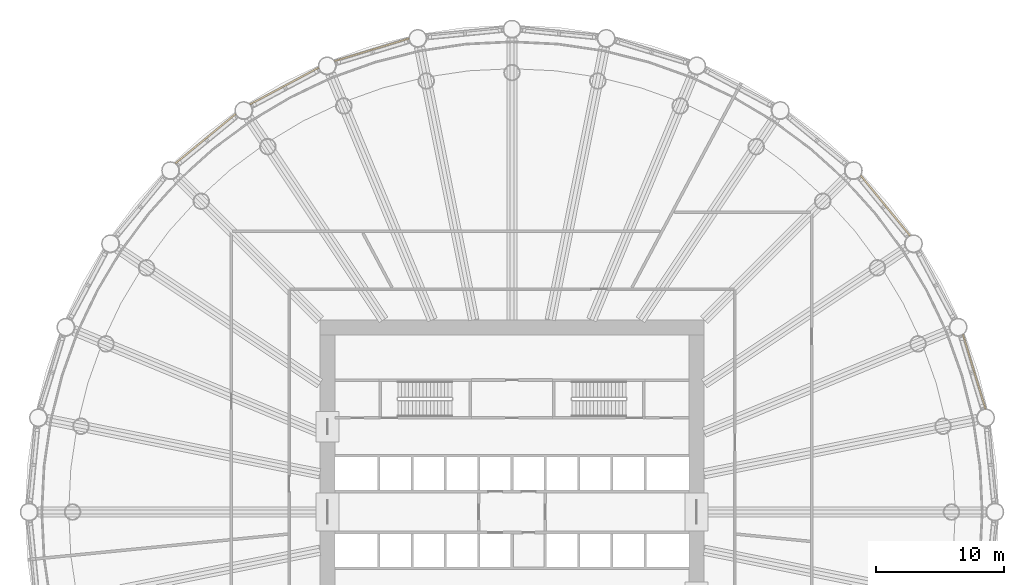
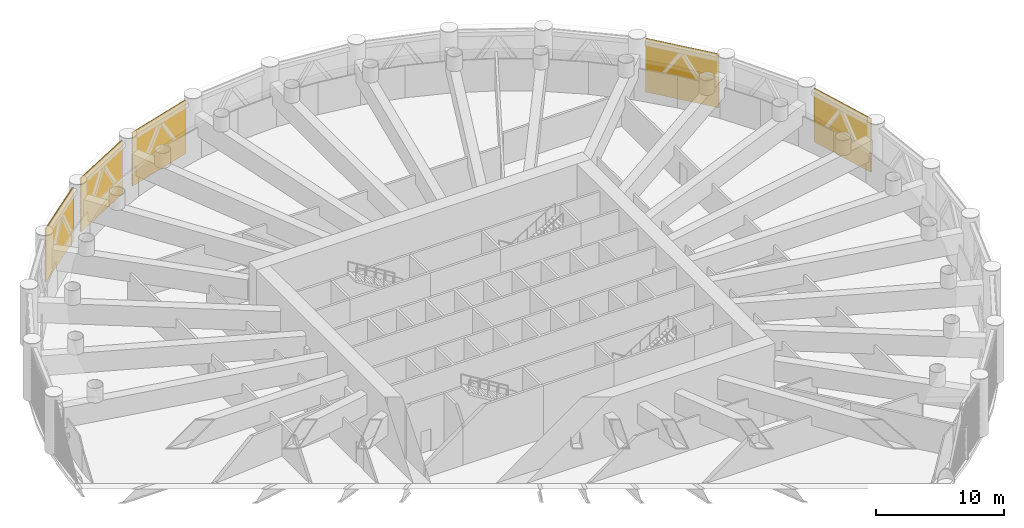
# One storey, part 25 of 26: 5 shading devices, 5 elements without a shape of their own.
"""IFC4 building model written with IfcOpenShell, lengths in metres."""

from ifc_helpers import new_model, si_unit, direction, frame, origin, place, context, subcontext, project, spatial, polyline, outline, extrude, material, material_profile, profile_set, type_object, element, aggregate, save


model = new_model("IFC4")

# Units and contexts
model_context = context("Model", 3, precision=1e-05, world=origin(), true_north=direction((0.0, 1.0)))
body_context = subcontext(model_context, "Body", "Model", "MODEL_VIEW")
ifc_project = project(units=[si_unit("LENGTHUNIT", "METRE"), si_unit("AREAUNIT", "SQUARE_METRE"), si_unit("VOLUMEUNIT", "CUBIC_METRE"), si_unit("PLANEANGLEUNIT", "RADIAN"), si_unit("MASSUNIT", "GRAM", prefix="KILO")], contexts=[model_context])

# Site, building, storey
site_placement = place(None, origin())
site = spatial("IfcSite", under=ifc_project, at=site_placement, CompositionType="ELEMENT")
building_placement = place(site_placement, origin())
building = spatial("IfcBuilding", under=site, at=building_placement, Name="Corvane Civic Tower", CompositionType="ELEMENT")
storey_placement = place(building_placement, frame((0.0, 0.0, 85.0)))
storey = spatial("IfcBuildingStorey", under=building, at=storey_placement, Name="L19", CompositionType="ELEMENT", Elevation=85.0)

# Curtain wall, shading device
ifc_material_1 = material(Name="Anodised aluminium bronze", Category="aluminium")
curtain_wall_type = type_object("IfcCurtainWallType", Name="TOWER CW-LV LOUVRE SCREEN WALL", PredefinedType="NOTDEFINED", material=ifc_material_1)
curtain_wall_1_placement = place(storey_placement, origin())
curtain_wall_1 = element("IfcCurtainWall", 1, at=curtain_wall_1_placement, inside=storey, type_object=curtain_wall_type, Name="Louvre screen wall CW-LV L19 bay 05", PredefinedType="NOTDEFINED")
ifc_material_2 = material(Name="Anodised aluminium bronze", Category="aluminium")
ifc_material_profile = material_profile(ifc_material_2, outline(polyline([(-0.06005859375, -2.56494140625), (-0.0400390625, -2.56494140625), (0.06005859375, -2.492919921875), (0.06005859375, -2.472900390625), (-0.0400390625, -2.544921875), (-0.0400390625, -2.4140625), (0.06005859375, -2.342041015625), (0.06005859375, -2.322021484375), (-0.0400390625, -2.39404296875), (-0.0400390625, -2.26318359375), (0.06005859375, -2.191162109375), (0.06005859375, -2.171142578125), (-0.0400390625, -2.2431640625), (-0.0400390625, -2.1123046875), (0.06005859375, -2.040283203125), (0.06005859375, -2.0205078125), (-0.0400390625, -2.09228515625), (-0.0400390625, -1.96142578125), (0.06005859375, -1.889404296875), (0.06005859375, -1.869384765625), (-0.0400390625, -1.94140625), (-0.0400390625, -1.810546875), (0.06005859375, -1.738525390625), (0.06005859375, -1.718505859375), (-0.0400390625, -1.79052734375), (-0.0400390625, -1.65966796875), (0.06005859375, -1.587646484375), (0.06005859375, -1.567626953125), (-0.0400390625, -1.6396484375), (-0.0400390625, -1.5087890625), (0.06005859375, -1.436767578125), (0.06005859375, -1.416748046875), (-0.0400390625, -1.48876953125), (-0.0400390625, -1.35791015625), (0.06005859375, -1.285888671875), (0.06005859375, -1.265869140625), (-0.0400390625, -1.337890625), (-0.0400390625, -1.20703125), (0.06005859375, -1.135009765625), (0.06005859375, -1.114990234375), (-0.0400390625, -1.18701171875), (-0.0400390625, -1.05615234375), (0.06005859375, -0.984130859375), (0.06005859375, -0.964111328125), (-0.0400390625, -1.0361328125), (-0.0400390625, -0.9052734375), (0.06005859375, -0.833251953125), (0.06005859375, -0.813232421875), (-0.0400390625, -0.88525390625), (-0.0400390625, -0.75439453125), (0.06005859375, -0.682373046875), (0.06005859375, -0.662353515625), (-0.0400390625, -0.734375), (-0.0400390625, -0.603515625), (0.06005859375, -0.531494140625), (0.06005859375, -0.511474609375), (-0.0400390625, -0.58349609375), (-0.0400390625, -0.45263671875), (0.06005859375, -0.380615234375), (0.06005859375, -0.360595703125), (-0.0400390625, -0.4326171875), (-0.0400390625, -0.3017578125), (0.06005859375, -0.229736328125), (0.06005859375, -0.209716796875), (-0.0400390625, -0.28173828125), (-0.0400390625, -0.15087890625), (0.06005859375, -0.078857421875), (0.06005859375, -0.058837890625), (-0.0400390625, -0.130859375), (-0.0400390625, 0.0), (0.06005859375, 0.072021484375), (0.06005859375, 0.092041015625), (-0.0400390625, 0.02001953125), (-0.0400390625, 0.15087890625), (0.06005859375, 0.222900390625), (0.06005859375, 0.242919921875), (-0.0400390625, 0.1708984375), (-0.0400390625, 0.3017578125), (0.06005859375, 0.373779296875), (0.06005859375, 0.393798828125), (-0.0400390625, 0.32177734375), (-0.0400390625, 0.45263671875), (0.06005859375, 0.524658203125), (0.06005859375, 0.544677734375), (-0.0400390625, 0.47265625), (-0.0400390625, 0.603515625), (0.06005859375, 0.675537109375), (0.06005859375, 0.695556640625), (-0.0400390625, 0.62353515625), (-0.0400390625, 0.75439453125), (0.06005859375, 0.826416015625), (0.06005859375, 0.846435546875), (-0.0400390625, 0.7744140625), (-0.0400390625, 0.9052734375), (0.06005859375, 0.977294921875), (0.06005859375, 0.997314453125), (-0.0400390625, 0.92529296875), (-0.0400390625, 1.05615234375), (0.06005859375, 1.128173828125), (0.06005859375, 1.148193359375), (-0.0400390625, 1.076171875), (-0.0400390625, 1.20703125), (0.06005859375, 1.279052734375), (0.06005859375, 1.299072265625), (-0.0400390625, 1.22705078125), (-0.0400390625, 1.35791015625), (0.06005859375, 1.429931640625), (0.06005859375, 1.449951171875), (-0.0400390625, 1.3779296875), (-0.0400390625, 1.5087890625), (0.06005859375, 1.580810546875), (0.06005859375, 1.600830078125), (-0.0400390625, 1.52880859375), (-0.0400390625, 1.65966796875), (0.06005859375, 1.731689453125), (0.06005859375, 1.751708984375), (-0.0400390625, 1.6796875), (-0.0400390625, 1.810546875), (0.06005859375, 1.882568359375), (0.06005859375, 1.902587890625), (-0.0400390625, 1.83056640625), (-0.0400390625, 1.96142578125), (0.06005859375, 2.033447265625), (0.06005859375, 2.053466796875), (-0.0400390625, 1.9814453125), (-0.0400390625, 2.1123046875), (0.06005859375, 2.184326171875), (0.06005859375, 2.204345703125), (-0.0400390625, 2.13232421875), (-0.0400390625, 2.26318359375), (0.06005859375, 2.335205078125), (0.06005859375, 2.355224609375), (-0.0400390625, 2.283203125), (-0.0400390625, 2.4140625), (0.06005859375, 2.486083984375), (0.06005859375, 2.506103515625), (-0.0400390625, 2.43408203125), (-0.0400390625, 2.56494140625), (-0.06005859375, 2.56494140625), (-0.06005859375, -2.56494140625)])), Name="TOWER LOUVRE BANK 5130 BRONZE")
ifc_profile_set = profile_set([ifc_material_profile], Name="Anodised aluminium bronze")
shading_device_type = type_object("IfcShadingDeviceType", Name="TOWER LOUVRE BANK 5130 BRONZE", PredefinedType="USERDEFINED", material=ifc_profile_set)
shading_device_1_placement = place(storey_placement, frame((27.20654296875, 26.271728515625, 2.68505859375), z_axis=(0.634388401677, -0.77301446029, 0.0), x_axis=(0.77301446029, 0.634388401677, 0.0)))
shading_device_1 = element("IfcShadingDevice", 2, at=shading_device_1_placement, type_object=shading_device_type, Name="Louvre bank L19 05.1", ObjectType="LOUVRE", PredefinedType="USERDEFINED", context=body_context, shape_type="SweptSolid", body=[
    extrude(outline(polyline([(-0.06005859375, -2.56494140625), (-0.0400390625, -2.56494140625), (0.06005859375, -2.492919921875), (0.06005859375, -2.472900390625), (-0.0400390625, -2.544921875), (-0.0400390625, -2.4140625), (0.06005859375, -2.342041015625), (0.06005859375, -2.322021484375), (-0.0400390625, -2.39404296875), (-0.0400390625, -2.26318359375), (0.06005859375, -2.191162109375), (0.06005859375, -2.171142578125), (-0.0400390625, -2.2431640625), (-0.0400390625, -2.1123046875), (0.06005859375, -2.040283203125), (0.06005859375, -2.0205078125), (-0.0400390625, -2.09228515625), (-0.0400390625, -1.96142578125), (0.06005859375, -1.889404296875), (0.06005859375, -1.869384765625), (-0.0400390625, -1.94140625), (-0.0400390625, -1.810546875), (0.06005859375, -1.738525390625), (0.06005859375, -1.718505859375), (-0.0400390625, -1.79052734375), (-0.0400390625, -1.65966796875), (0.06005859375, -1.587646484375), (0.06005859375, -1.567626953125), (-0.0400390625, -1.6396484375), (-0.0400390625, -1.5087890625), (0.06005859375, -1.436767578125), (0.06005859375, -1.416748046875), (-0.0400390625, -1.48876953125), (-0.0400390625, -1.35791015625), (0.06005859375, -1.285888671875), (0.06005859375, -1.265869140625), (-0.0400390625, -1.337890625), (-0.0400390625, -1.20703125), (0.06005859375, -1.135009765625), (0.06005859375, -1.114990234375), (-0.0400390625, -1.18701171875), (-0.0400390625, -1.05615234375), (0.06005859375, -0.984130859375), (0.06005859375, -0.964111328125), (-0.0400390625, -1.0361328125), (-0.0400390625, -0.9052734375), (0.06005859375, -0.833251953125), (0.06005859375, -0.813232421875), (-0.0400390625, -0.88525390625), (-0.0400390625, -0.75439453125), (0.06005859375, -0.682373046875), (0.06005859375, -0.662353515625), (-0.0400390625, -0.734375), (-0.0400390625, -0.603515625), (0.06005859375, -0.531494140625), (0.06005859375, -0.511474609375), (-0.0400390625, -0.58349609375), (-0.0400390625, -0.45263671875), (0.06005859375, -0.380615234375), (0.06005859375, -0.360595703125), (-0.0400390625, -0.4326171875), (-0.0400390625, -0.3017578125), (0.06005859375, -0.229736328125), (0.06005859375, -0.209716796875), (-0.0400390625, -0.28173828125), (-0.0400390625, -0.15087890625), (0.06005859375, -0.078857421875), (0.06005859375, -0.058837890625), (-0.0400390625, -0.130859375), (-0.0400390625, 0.0), (0.06005859375, 0.072021484375), (0.06005859375, 0.092041015625), (-0.0400390625, 0.02001953125), (-0.0400390625, 0.15087890625), (0.06005859375, 0.222900390625), (0.06005859375, 0.242919921875), (-0.0400390625, 0.1708984375), (-0.0400390625, 0.3017578125), (0.06005859375, 0.373779296875), (0.06005859375, 0.393798828125), (-0.0400390625, 0.32177734375), (-0.0400390625, 0.45263671875), (0.06005859375, 0.524658203125), (0.06005859375, 0.544677734375), (-0.0400390625, 0.47265625), (-0.0400390625, 0.603515625), (0.06005859375, 0.675537109375), (0.06005859375, 0.695556640625), (-0.0400390625, 0.62353515625), (-0.0400390625, 0.75439453125), (0.06005859375, 0.826416015625), (0.06005859375, 0.846435546875), (-0.0400390625, 0.7744140625), (-0.0400390625, 0.9052734375), (0.06005859375, 0.977294921875), (0.06005859375, 0.997314453125), (-0.0400390625, 0.92529296875), (-0.0400390625, 1.05615234375), (0.06005859375, 1.128173828125), (0.06005859375, 1.148193359375), (-0.0400390625, 1.076171875), (-0.0400390625, 1.20703125), (0.06005859375, 1.279052734375), (0.06005859375, 1.299072265625), (-0.0400390625, 1.22705078125), (-0.0400390625, 1.35791015625), (0.06005859375, 1.429931640625), (0.06005859375, 1.449951171875), (-0.0400390625, 1.3779296875), (-0.0400390625, 1.5087890625), (0.06005859375, 1.580810546875), (0.06005859375, 1.600830078125), (-0.0400390625, 1.52880859375), (-0.0400390625, 1.65966796875), (0.06005859375, 1.731689453125), (0.06005859375, 1.751708984375), (-0.0400390625, 1.6796875), (-0.0400390625, 1.810546875), (0.06005859375, 1.882568359375), (0.06005859375, 1.902587890625), (-0.0400390625, 1.83056640625), (-0.0400390625, 1.96142578125), (0.06005859375, 2.033447265625), (0.06005859375, 2.053466796875), (-0.0400390625, 1.9814453125), (-0.0400390625, 2.1123046875), (0.06005859375, 2.184326171875), (0.06005859375, 2.204345703125), (-0.0400390625, 2.13232421875), (-0.0400390625, 2.26318359375), (0.06005859375, 2.335205078125), (0.06005859375, 2.355224609375), (-0.0400390625, 2.283203125), (-0.0400390625, 2.4140625), (0.06005859375, 2.486083984375), (0.06005859375, 2.506103515625), (-0.0400390625, 2.43408203125), (-0.0400390625, 2.56494140625), (-0.06005859375, 2.56494140625), (-0.06005859375, -2.56494140625)])), origin(), (0.0, 0.0, 1.0), 6.09716796875),
])
aggregate(curtain_wall_1, [shading_device_1])

curtain_wall_2_placement = place(storey_placement, origin())
curtain_wall_2 = element("IfcCurtainWall", 3, at=curtain_wall_2_placement, inside=storey, type_object=curtain_wall_type, Name="Louvre screen wall CW-LV L19 bay 07", PredefinedType="NOTDEFINED")
shading_device_2_placement = place(storey_placement, frame((35.189453125, 13.8603515625, 2.68505859375), z_axis=(0.29027077816, -0.956944551866, 0.0), x_axis=(0.956944551866, 0.29027077816, 0.0)))
shading_device_2 = element("IfcShadingDevice", 4, at=shading_device_2_placement, type_object=shading_device_type, Name="Louvre bank L19 07.1", ObjectType="LOUVRE", PredefinedType="USERDEFINED", context=body_context, shape_type="SweptSolid", body=[
    extrude(outline(polyline([(-0.06005859375, -2.56494140625), (-0.0400390625, -2.56494140625), (0.06005859375, -2.492919921875), (0.06005859375, -2.472900390625), (-0.0400390625, -2.544921875), (-0.0400390625, -2.4140625), (0.06005859375, -2.342041015625), (0.06005859375, -2.322021484375), (-0.0400390625, -2.39404296875), (-0.0400390625, -2.26318359375), (0.06005859375, -2.191162109375), (0.06005859375, -2.171142578125), (-0.0400390625, -2.2431640625), (-0.0400390625, -2.1123046875), (0.06005859375, -2.040283203125), (0.06005859375, -2.0205078125), (-0.0400390625, -2.09228515625), (-0.0400390625, -1.96142578125), (0.06005859375, -1.889404296875), (0.06005859375, -1.869384765625), (-0.0400390625, -1.94140625), (-0.0400390625, -1.810546875), (0.06005859375, -1.738525390625), (0.06005859375, -1.718505859375), (-0.0400390625, -1.79052734375), (-0.0400390625, -1.65966796875), (0.06005859375, -1.587646484375), (0.06005859375, -1.567626953125), (-0.0400390625, -1.6396484375), (-0.0400390625, -1.5087890625), (0.06005859375, -1.436767578125), (0.06005859375, -1.416748046875), (-0.0400390625, -1.48876953125), (-0.0400390625, -1.35791015625), (0.06005859375, -1.285888671875), (0.06005859375, -1.265869140625), (-0.0400390625, -1.337890625), (-0.0400390625, -1.20703125), (0.06005859375, -1.135009765625), (0.06005859375, -1.114990234375), (-0.0400390625, -1.18701171875), (-0.0400390625, -1.05615234375), (0.06005859375, -0.984130859375), (0.06005859375, -0.964111328125), (-0.0400390625, -1.0361328125), (-0.0400390625, -0.9052734375), (0.06005859375, -0.833251953125), (0.06005859375, -0.813232421875), (-0.0400390625, -0.88525390625), (-0.0400390625, -0.75439453125), (0.06005859375, -0.682373046875), (0.06005859375, -0.662353515625), (-0.0400390625, -0.734375), (-0.0400390625, -0.603515625), (0.06005859375, -0.531494140625), (0.06005859375, -0.511474609375), (-0.0400390625, -0.58349609375), (-0.0400390625, -0.45263671875), (0.06005859375, -0.380615234375), (0.06005859375, -0.360595703125), (-0.0400390625, -0.4326171875), (-0.0400390625, -0.3017578125), (0.06005859375, -0.229736328125), (0.06005859375, -0.209716796875), (-0.0400390625, -0.28173828125), (-0.0400390625, -0.15087890625), (0.06005859375, -0.078857421875), (0.06005859375, -0.058837890625), (-0.0400390625, -0.130859375), (-0.0400390625, 0.0), (0.06005859375, 0.072021484375), (0.06005859375, 0.092041015625), (-0.0400390625, 0.02001953125), (-0.0400390625, 0.15087890625), (0.06005859375, 0.222900390625), (0.06005859375, 0.242919921875), (-0.0400390625, 0.1708984375), (-0.0400390625, 0.3017578125), (0.06005859375, 0.373779296875), (0.06005859375, 0.393798828125), (-0.0400390625, 0.32177734375), (-0.0400390625, 0.45263671875), (0.06005859375, 0.524658203125), (0.06005859375, 0.544677734375), (-0.0400390625, 0.47265625), (-0.0400390625, 0.603515625), (0.06005859375, 0.675537109375), (0.06005859375, 0.695556640625), (-0.0400390625, 0.62353515625), (-0.0400390625, 0.75439453125), (0.06005859375, 0.826416015625), (0.06005859375, 0.846435546875), (-0.0400390625, 0.7744140625), (-0.0400390625, 0.9052734375), (0.06005859375, 0.977294921875), (0.06005859375, 0.997314453125), (-0.0400390625, 0.92529296875), (-0.0400390625, 1.05615234375), (0.06005859375, 1.128173828125), (0.06005859375, 1.148193359375), (-0.0400390625, 1.076171875), (-0.0400390625, 1.20703125), (0.06005859375, 1.279052734375), (0.06005859375, 1.299072265625), (-0.0400390625, 1.22705078125), (-0.0400390625, 1.35791015625), (0.06005859375, 1.429931640625), (0.06005859375, 1.449951171875), (-0.0400390625, 1.3779296875), (-0.0400390625, 1.5087890625), (0.06005859375, 1.580810546875), (0.06005859375, 1.600830078125), (-0.0400390625, 1.52880859375), (-0.0400390625, 1.65966796875), (0.06005859375, 1.731689453125), (0.06005859375, 1.751708984375), (-0.0400390625, 1.6796875), (-0.0400390625, 1.810546875), (0.06005859375, 1.882568359375), (0.06005859375, 1.902587890625), (-0.0400390625, 1.83056640625), (-0.0400390625, 1.96142578125), (0.06005859375, 2.033447265625), (0.06005859375, 2.053466796875), (-0.0400390625, 1.9814453125), (-0.0400390625, 2.1123046875), (0.06005859375, 2.184326171875), (0.06005859375, 2.204345703125), (-0.0400390625, 2.13232421875), (-0.0400390625, 2.26318359375), (0.06005859375, 2.335205078125), (0.06005859375, 2.355224609375), (-0.0400390625, 2.283203125), (-0.0400390625, 2.4140625), (0.06005859375, 2.486083984375), (0.06005859375, 2.506103515625), (-0.0400390625, 2.43408203125), (-0.0400390625, 2.56494140625), (-0.06005859375, 2.56494140625), (-0.06005859375, -2.56494140625)])), origin(), (0.0, 0.0, 1.0), 6.096923828125),
])
aggregate(curtain_wall_2, [shading_device_2])

curtain_wall_3_placement = place(storey_placement, origin())
curtain_wall_3 = element("IfcCurtainWall", 5, at=curtain_wall_3_placement, inside=storey, type_object=curtain_wall_type, Name="Louvre screen wall CW-LV L19 bay 29", PredefinedType="NOTDEFINED")
shading_device_3_placement = place(storey_placement, frame((-26.271728515625, 27.20654296875, 2.68505859375), z_axis=(0.77301446029, 0.634388401677, 0.0), x_axis=(-0.634388401677, 0.77301446029, 0.0)))
shading_device_3 = element("IfcShadingDevice", 6, at=shading_device_3_placement, type_object=shading_device_type, Name="Louvre bank L19 29.1", ObjectType="LOUVRE", PredefinedType="USERDEFINED", context=body_context, shape_type="SweptSolid", body=[
    extrude(outline(polyline([(-0.06005859375, -2.56494140625), (-0.0400390625, -2.56494140625), (0.06005859375, -2.492919921875), (0.06005859375, -2.472900390625), (-0.0400390625, -2.544921875), (-0.0400390625, -2.4140625), (0.06005859375, -2.342041015625), (0.06005859375, -2.322021484375), (-0.0400390625, -2.39404296875), (-0.0400390625, -2.26318359375), (0.06005859375, -2.191162109375), (0.06005859375, -2.171142578125), (-0.0400390625, -2.2431640625), (-0.0400390625, -2.1123046875), (0.06005859375, -2.040283203125), (0.06005859375, -2.0205078125), (-0.0400390625, -2.09228515625), (-0.0400390625, -1.96142578125), (0.06005859375, -1.889404296875), (0.06005859375, -1.869384765625), (-0.0400390625, -1.94140625), (-0.0400390625, -1.810546875), (0.06005859375, -1.738525390625), (0.06005859375, -1.718505859375), (-0.0400390625, -1.79052734375), (-0.0400390625, -1.65966796875), (0.06005859375, -1.587646484375), (0.06005859375, -1.567626953125), (-0.0400390625, -1.6396484375), (-0.0400390625, -1.5087890625), (0.06005859375, -1.436767578125), (0.06005859375, -1.416748046875), (-0.0400390625, -1.48876953125), (-0.0400390625, -1.35791015625), (0.06005859375, -1.285888671875), (0.06005859375, -1.265869140625), (-0.0400390625, -1.337890625), (-0.0400390625, -1.20703125), (0.06005859375, -1.135009765625), (0.06005859375, -1.114990234375), (-0.0400390625, -1.18701171875), (-0.0400390625, -1.05615234375), (0.06005859375, -0.984130859375), (0.06005859375, -0.964111328125), (-0.0400390625, -1.0361328125), (-0.0400390625, -0.9052734375), (0.06005859375, -0.833251953125), (0.06005859375, -0.813232421875), (-0.0400390625, -0.88525390625), (-0.0400390625, -0.75439453125), (0.06005859375, -0.682373046875), (0.06005859375, -0.662353515625), (-0.0400390625, -0.734375), (-0.0400390625, -0.603515625), (0.06005859375, -0.531494140625), (0.06005859375, -0.511474609375), (-0.0400390625, -0.58349609375), (-0.0400390625, -0.45263671875), (0.06005859375, -0.380615234375), (0.06005859375, -0.360595703125), (-0.0400390625, -0.4326171875), (-0.0400390625, -0.3017578125), (0.06005859375, -0.229736328125), (0.06005859375, -0.209716796875), (-0.0400390625, -0.28173828125), (-0.0400390625, -0.15087890625), (0.06005859375, -0.078857421875), (0.06005859375, -0.058837890625), (-0.0400390625, -0.130859375), (-0.0400390625, 0.0), (0.06005859375, 0.072021484375), (0.06005859375, 0.092041015625), (-0.0400390625, 0.02001953125), (-0.0400390625, 0.15087890625), (0.06005859375, 0.222900390625), (0.06005859375, 0.242919921875), (-0.0400390625, 0.1708984375), (-0.0400390625, 0.3017578125), (0.06005859375, 0.373779296875), (0.06005859375, 0.393798828125), (-0.0400390625, 0.32177734375), (-0.0400390625, 0.45263671875), (0.06005859375, 0.524658203125), (0.06005859375, 0.544677734375), (-0.0400390625, 0.47265625), (-0.0400390625, 0.603515625), (0.06005859375, 0.675537109375), (0.06005859375, 0.695556640625), (-0.0400390625, 0.62353515625), (-0.0400390625, 0.75439453125), (0.06005859375, 0.826416015625), (0.06005859375, 0.846435546875), (-0.0400390625, 0.7744140625), (-0.0400390625, 0.9052734375), (0.06005859375, 0.977294921875), (0.06005859375, 0.997314453125), (-0.0400390625, 0.92529296875), (-0.0400390625, 1.05615234375), (0.06005859375, 1.128173828125), (0.06005859375, 1.148193359375), (-0.0400390625, 1.076171875), (-0.0400390625, 1.20703125), (0.06005859375, 1.279052734375), (0.06005859375, 1.299072265625), (-0.0400390625, 1.22705078125), (-0.0400390625, 1.35791015625), (0.06005859375, 1.429931640625), (0.06005859375, 1.449951171875), (-0.0400390625, 1.3779296875), (-0.0400390625, 1.5087890625), (0.06005859375, 1.580810546875), (0.06005859375, 1.600830078125), (-0.0400390625, 1.52880859375), (-0.0400390625, 1.65966796875), (0.06005859375, 1.731689453125), (0.06005859375, 1.751708984375), (-0.0400390625, 1.6796875), (-0.0400390625, 1.810546875), (0.06005859375, 1.882568359375), (0.06005859375, 1.902587890625), (-0.0400390625, 1.83056640625), (-0.0400390625, 1.96142578125), (0.06005859375, 2.033447265625), (0.06005859375, 2.053466796875), (-0.0400390625, 1.9814453125), (-0.0400390625, 2.1123046875), (0.06005859375, 2.184326171875), (0.06005859375, 2.204345703125), (-0.0400390625, 2.13232421875), (-0.0400390625, 2.26318359375), (0.06005859375, 2.335205078125), (0.06005859375, 2.355224609375), (-0.0400390625, 2.283203125), (-0.0400390625, 2.4140625), (0.06005859375, 2.486083984375), (0.06005859375, 2.506103515625), (-0.0400390625, 2.43408203125), (-0.0400390625, 2.56494140625), (-0.06005859375, 2.56494140625), (-0.06005859375, -2.56494140625)])), origin(), (0.0, 0.0, 1.0), 6.09716796875),
])
aggregate(curtain_wall_3, [shading_device_3])

curtain_wall_4_placement = place(storey_placement, origin())
curtain_wall_4 = element("IfcCurtainWall", 7, at=curtain_wall_4_placement, inside=storey, type_object=curtain_wall_type, Name="Louvre screen wall CW-LV L19 bay 30", PredefinedType="NOTDEFINED")
shading_device_4_placement = place(storey_placement, frame((-20.459228515625, 31.809326171875, 2.68505859375), z_axis=(0.881931381664, 0.47137780817, 0.0), x_axis=(-0.47137780817, 0.881931381664, 0.0)))
shading_device_4 = element("IfcShadingDevice", 8, at=shading_device_4_placement, type_object=shading_device_type, Name="Louvre bank L19 30.1", ObjectType="LOUVRE", PredefinedType="USERDEFINED", context=body_context, shape_type="SweptSolid", body=[
    extrude(outline(polyline([(-0.06005859375, -2.56494140625), (-0.0400390625, -2.56494140625), (0.06005859375, -2.492919921875), (0.06005859375, -2.472900390625), (-0.0400390625, -2.544921875), (-0.0400390625, -2.4140625), (0.06005859375, -2.342041015625), (0.06005859375, -2.322021484375), (-0.0400390625, -2.39404296875), (-0.0400390625, -2.26318359375), (0.06005859375, -2.191162109375), (0.06005859375, -2.171142578125), (-0.0400390625, -2.2431640625), (-0.0400390625, -2.1123046875), (0.06005859375, -2.040283203125), (0.06005859375, -2.0205078125), (-0.0400390625, -2.09228515625), (-0.0400390625, -1.96142578125), (0.06005859375, -1.889404296875), (0.06005859375, -1.869384765625), (-0.0400390625, -1.94140625), (-0.0400390625, -1.810546875), (0.06005859375, -1.738525390625), (0.06005859375, -1.718505859375), (-0.0400390625, -1.79052734375), (-0.0400390625, -1.65966796875), (0.06005859375, -1.587646484375), (0.06005859375, -1.567626953125), (-0.0400390625, -1.6396484375), (-0.0400390625, -1.5087890625), (0.06005859375, -1.436767578125), (0.06005859375, -1.416748046875), (-0.0400390625, -1.48876953125), (-0.0400390625, -1.35791015625), (0.06005859375, -1.285888671875), (0.06005859375, -1.265869140625), (-0.0400390625, -1.337890625), (-0.0400390625, -1.20703125), (0.06005859375, -1.135009765625), (0.06005859375, -1.114990234375), (-0.0400390625, -1.18701171875), (-0.0400390625, -1.05615234375), (0.06005859375, -0.984130859375), (0.06005859375, -0.964111328125), (-0.0400390625, -1.0361328125), (-0.0400390625, -0.9052734375), (0.06005859375, -0.833251953125), (0.06005859375, -0.813232421875), (-0.0400390625, -0.88525390625), (-0.0400390625, -0.75439453125), (0.06005859375, -0.682373046875), (0.06005859375, -0.662353515625), (-0.0400390625, -0.734375), (-0.0400390625, -0.603515625), (0.06005859375, -0.531494140625), (0.06005859375, -0.511474609375), (-0.0400390625, -0.58349609375), (-0.0400390625, -0.45263671875), (0.06005859375, -0.380615234375), (0.06005859375, -0.360595703125), (-0.0400390625, -0.4326171875), (-0.0400390625, -0.3017578125), (0.06005859375, -0.229736328125), (0.06005859375, -0.209716796875), (-0.0400390625, -0.28173828125), (-0.0400390625, -0.15087890625), (0.06005859375, -0.078857421875), (0.06005859375, -0.058837890625), (-0.0400390625, -0.130859375), (-0.0400390625, 0.0), (0.06005859375, 0.072021484375), (0.06005859375, 0.092041015625), (-0.0400390625, 0.02001953125), (-0.0400390625, 0.15087890625), (0.06005859375, 0.222900390625), (0.06005859375, 0.242919921875), (-0.0400390625, 0.1708984375), (-0.0400390625, 0.3017578125), (0.06005859375, 0.373779296875), (0.06005859375, 0.393798828125), (-0.0400390625, 0.32177734375), (-0.0400390625, 0.45263671875), (0.06005859375, 0.524658203125), (0.06005859375, 0.544677734375), (-0.0400390625, 0.47265625), (-0.0400390625, 0.603515625), (0.06005859375, 0.675537109375), (0.06005859375, 0.695556640625), (-0.0400390625, 0.62353515625), (-0.0400390625, 0.75439453125), (0.06005859375, 0.826416015625), (0.06005859375, 0.846435546875), (-0.0400390625, 0.7744140625), (-0.0400390625, 0.9052734375), (0.06005859375, 0.977294921875), (0.06005859375, 0.997314453125), (-0.0400390625, 0.92529296875), (-0.0400390625, 1.05615234375), (0.06005859375, 1.128173828125), (0.06005859375, 1.148193359375), (-0.0400390625, 1.076171875), (-0.0400390625, 1.20703125), (0.06005859375, 1.279052734375), (0.06005859375, 1.299072265625), (-0.0400390625, 1.22705078125), (-0.0400390625, 1.35791015625), (0.06005859375, 1.429931640625), (0.06005859375, 1.449951171875), (-0.0400390625, 1.3779296875), (-0.0400390625, 1.5087890625), (0.06005859375, 1.580810546875), (0.06005859375, 1.600830078125), (-0.0400390625, 1.52880859375), (-0.0400390625, 1.65966796875), (0.06005859375, 1.731689453125), (0.06005859375, 1.751708984375), (-0.0400390625, 1.6796875), (-0.0400390625, 1.810546875), (0.06005859375, 1.882568359375), (0.06005859375, 1.902587890625), (-0.0400390625, 1.83056640625), (-0.0400390625, 1.96142578125), (0.06005859375, 2.033447265625), (0.06005859375, 2.053466796875), (-0.0400390625, 1.9814453125), (-0.0400390625, 2.1123046875), (0.06005859375, 2.184326171875), (0.06005859375, 2.204345703125), (-0.0400390625, 2.13232421875), (-0.0400390625, 2.26318359375), (0.06005859375, 2.335205078125), (0.06005859375, 2.355224609375), (-0.0400390625, 2.283203125), (-0.0400390625, 2.4140625), (0.06005859375, 2.486083984375), (0.06005859375, 2.506103515625), (-0.0400390625, 2.43408203125), (-0.0400390625, 2.56494140625), (-0.06005859375, 2.56494140625), (-0.06005859375, -2.56494140625)])), origin(), (0.0, 0.0, 1.0), 6.09716796875),
])
aggregate(curtain_wall_4, [shading_device_4])

curtain_wall_5_placement = place(storey_placement, origin())
curtain_wall_5 = element("IfcCurtainWall", 9, at=curtain_wall_5_placement, inside=storey, type_object=curtain_wall_type, Name="Louvre screen wall CW-LV L19 bay 31", PredefinedType="NOTDEFINED")
shading_device_5_placement = place(storey_placement, frame((-13.8603515625, 35.189453125, 2.68505859375), z_axis=(0.956944551866, 0.29027077816, 0.0), x_axis=(-0.29027077816, 0.956944551866, 0.0)))
shading_device_5 = element("IfcShadingDevice", 10, at=shading_device_5_placement, type_object=shading_device_type, Name="Louvre bank L19 31.1", ObjectType="LOUVRE", PredefinedType="USERDEFINED", context=body_context, shape_type="SweptSolid", body=[
    extrude(outline(polyline([(-0.06005859375, -2.56494140625), (-0.0400390625, -2.56494140625), (0.06005859375, -2.492919921875), (0.06005859375, -2.472900390625), (-0.0400390625, -2.544921875), (-0.0400390625, -2.4140625), (0.06005859375, -2.342041015625), (0.06005859375, -2.322021484375), (-0.0400390625, -2.39404296875), (-0.0400390625, -2.26318359375), (0.06005859375, -2.191162109375), (0.06005859375, -2.171142578125), (-0.0400390625, -2.2431640625), (-0.0400390625, -2.1123046875), (0.06005859375, -2.040283203125), (0.06005859375, -2.0205078125), (-0.0400390625, -2.09228515625), (-0.0400390625, -1.96142578125), (0.06005859375, -1.889404296875), (0.06005859375, -1.869384765625), (-0.0400390625, -1.94140625), (-0.0400390625, -1.810546875), (0.06005859375, -1.738525390625), (0.06005859375, -1.718505859375), (-0.0400390625, -1.79052734375), (-0.0400390625, -1.65966796875), (0.06005859375, -1.587646484375), (0.06005859375, -1.567626953125), (-0.0400390625, -1.6396484375), (-0.0400390625, -1.5087890625), (0.06005859375, -1.436767578125), (0.06005859375, -1.416748046875), (-0.0400390625, -1.48876953125), (-0.0400390625, -1.35791015625), (0.06005859375, -1.285888671875), (0.06005859375, -1.265869140625), (-0.0400390625, -1.337890625), (-0.0400390625, -1.20703125), (0.06005859375, -1.135009765625), (0.06005859375, -1.114990234375), (-0.0400390625, -1.18701171875), (-0.0400390625, -1.05615234375), (0.06005859375, -0.984130859375), (0.06005859375, -0.964111328125), (-0.0400390625, -1.0361328125), (-0.0400390625, -0.9052734375), (0.06005859375, -0.833251953125), (0.06005859375, -0.813232421875), (-0.0400390625, -0.88525390625), (-0.0400390625, -0.75439453125), (0.06005859375, -0.682373046875), (0.06005859375, -0.662353515625), (-0.0400390625, -0.734375), (-0.0400390625, -0.603515625), (0.06005859375, -0.531494140625), (0.06005859375, -0.511474609375), (-0.0400390625, -0.58349609375), (-0.0400390625, -0.45263671875), (0.06005859375, -0.380615234375), (0.06005859375, -0.360595703125), (-0.0400390625, -0.4326171875), (-0.0400390625, -0.3017578125), (0.06005859375, -0.229736328125), (0.06005859375, -0.209716796875), (-0.0400390625, -0.28173828125), (-0.0400390625, -0.15087890625), (0.06005859375, -0.078857421875), (0.06005859375, -0.058837890625), (-0.0400390625, -0.130859375), (-0.0400390625, 0.0), (0.06005859375, 0.072021484375), (0.06005859375, 0.092041015625), (-0.0400390625, 0.02001953125), (-0.0400390625, 0.15087890625), (0.06005859375, 0.222900390625), (0.06005859375, 0.242919921875), (-0.0400390625, 0.1708984375), (-0.0400390625, 0.3017578125), (0.06005859375, 0.373779296875), (0.06005859375, 0.393798828125), (-0.0400390625, 0.32177734375), (-0.0400390625, 0.45263671875), (0.06005859375, 0.524658203125), (0.06005859375, 0.544677734375), (-0.0400390625, 0.47265625), (-0.0400390625, 0.603515625), (0.06005859375, 0.675537109375), (0.06005859375, 0.695556640625), (-0.0400390625, 0.62353515625), (-0.0400390625, 0.75439453125), (0.06005859375, 0.826416015625), (0.06005859375, 0.846435546875), (-0.0400390625, 0.7744140625), (-0.0400390625, 0.9052734375), (0.06005859375, 0.977294921875), (0.06005859375, 0.997314453125), (-0.0400390625, 0.92529296875), (-0.0400390625, 1.05615234375), (0.06005859375, 1.128173828125), (0.06005859375, 1.148193359375), (-0.0400390625, 1.076171875), (-0.0400390625, 1.20703125), (0.06005859375, 1.279052734375), (0.06005859375, 1.299072265625), (-0.0400390625, 1.22705078125), (-0.0400390625, 1.35791015625), (0.06005859375, 1.429931640625), (0.06005859375, 1.449951171875), (-0.0400390625, 1.3779296875), (-0.0400390625, 1.5087890625), (0.06005859375, 1.580810546875), (0.06005859375, 1.600830078125), (-0.0400390625, 1.52880859375), (-0.0400390625, 1.65966796875), (0.06005859375, 1.731689453125), (0.06005859375, 1.751708984375), (-0.0400390625, 1.6796875), (-0.0400390625, 1.810546875), (0.06005859375, 1.882568359375), (0.06005859375, 1.902587890625), (-0.0400390625, 1.83056640625), (-0.0400390625, 1.96142578125), (0.06005859375, 2.033447265625), (0.06005859375, 2.053466796875), (-0.0400390625, 1.9814453125), (-0.0400390625, 2.1123046875), (0.06005859375, 2.184326171875), (0.06005859375, 2.204345703125), (-0.0400390625, 2.13232421875), (-0.0400390625, 2.26318359375), (0.06005859375, 2.335205078125), (0.06005859375, 2.355224609375), (-0.0400390625, 2.283203125), (-0.0400390625, 2.4140625), (0.06005859375, 2.486083984375), (0.06005859375, 2.506103515625), (-0.0400390625, 2.43408203125), (-0.0400390625, 2.56494140625), (-0.06005859375, 2.56494140625), (-0.06005859375, -2.56494140625)])), origin(), (0.0, 0.0, 1.0), 6.096923828125),
])
aggregate(curtain_wall_5, [shading_device_5])

save(model, "model.ifc")
